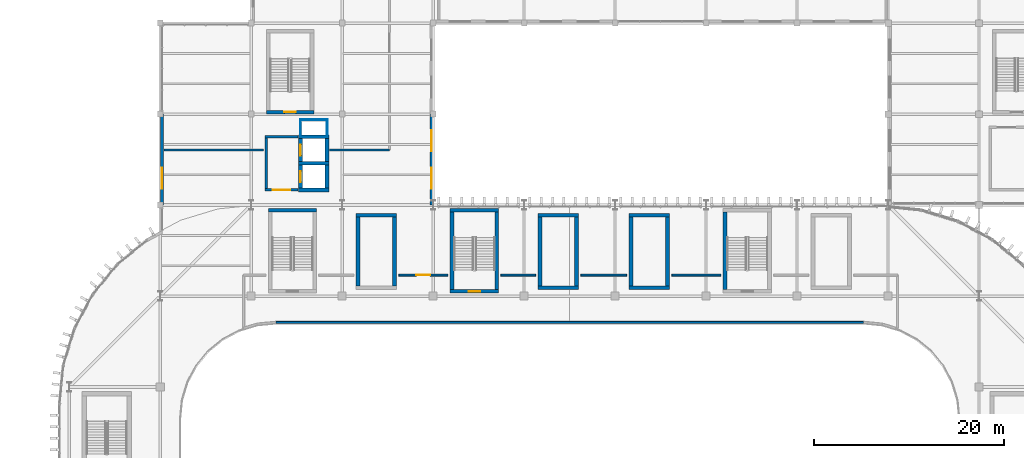
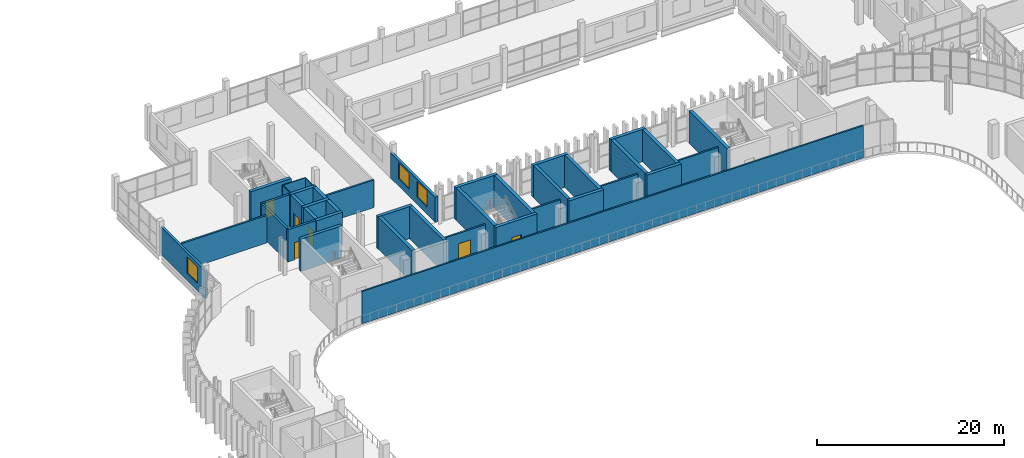
# One storey, part 59 of 92: 40 walls, 6 doors, 3 windows, 9 openings.
"""IFC4 building model written with IfcOpenShell, lengths in metres."""

from ifc_helpers import new_model, si_unit, direction, frame, frame_2d, origin, place, context, subcontext, project, spatial, rectangle, extrude, material, layer, layer_set, type_object, element, fill, save


model = new_model("IFC4")

# Units and contexts
model_context = context("Model", 3, precision=1e-05, world=origin(), true_north=direction((0.0, 1.0)))
body_context = subcontext(model_context, "Body", "Model", "MODEL_VIEW")
ifc_project = project(units=[si_unit("LENGTHUNIT", "METRE"), si_unit("AREAUNIT", "SQUARE_METRE"), si_unit("VOLUMEUNIT", "CUBIC_METRE"), si_unit("PLANEANGLEUNIT", "RADIAN"), si_unit("MASSUNIT", "GRAM", prefix="KILO")], contexts=[model_context])

# Site, building, storey
site_placement = place(None, origin())
site = spatial("IfcSite", under=ifc_project, at=site_placement, CompositionType="ELEMENT")
building_placement = place(site_placement, origin())
building = spatial("IfcBuilding", under=site, at=building_placement, Name="Caelomonte Colonnade Arena", CompositionType="ELEMENT")
storey_placement = place(building_placement, frame((0.0, 0.0, 9.60009765625)))
storey = spatial("IfcBuildingStorey", under=building, at=storey_placement, Name="L02", CompositionType="ELEMENT", Elevation=9.60009765625)

# Wall, opening, window
ifc_material_1 = material(Name="Precast concrete C40/50", Category="concrete")
ifc_layer_1 = layer(ifc_material_1, 0.2900390625)
ifc_layer_set_1 = layer_set([ifc_layer_1], Name="Precast concrete C40/50")
wall_type_1 = type_object("IfcWallType", Name="ENV-WL-EXT29", PredefinedType="SOLIDWALL", material=ifc_layer_set_1)
wall_1_placement = place(storey_placement, frame((67.3798828125, 124.800048828125, 0.0), z_axis=(0.0, 0.0, 1.0), x_axis=(0.0, -1.0, 0.0)))
wall_1 = element("IfcWall", 1, at=wall_1_placement, inside=storey, type_object=wall_type_1, Name="L02 exterior wall EW-L02-0266", PredefinedType="SOLIDWALL", context=body_context, shape_type="SweptSolid", body=[
    extrude(rectangle(XDim=9.60009765625, YDim=0.2900390625, at=frame_2d((4.800048828125, 0.0))), origin(), (0.0, 0.0, 1.0), 3.61279296875),
])
opening_1_placement = place(wall_1_placement, frame((7.86669921875, 0.0, 0.949951171875), z_axis=(0.0, 0.0, 1.0), x_axis=(-1.0, 0.0, 0.0)))
opening_1 = element("IfcOpeningElement", 2, at=opening_1_placement, cuts=wall_1, Name="Opening WN-05", PredefinedType="OPENING", context=body_context, shape_type="SweptSolid", body=[
    extrude(rectangle(XDim=2.199951171875, YDim=2.10009765625, at=frame_2d((1.10009765625, 1.050048828125))), frame((0.0, 0.155029296875, 0.0), z_axis=(0.0, -1.0, 0.0), x_axis=(1.0, 0.0, 0.0)), (0.0, 0.0, 1.0), 0.31005859375),
])
ifc_material_2 = material(Name="Solar-control bronze low-E double glazing", Category="glass")
window_type = type_object("IfcWindowType", Name="ENV-WN-V4B", PartitioningType="DOUBLE_PANEL_VERTICAL", PredefinedType="WINDOW", material=ifc_material_2)
window_1_placement = place(opening_1_placement, origin())
window_1 = element("IfcWindow", 3, at=window_1_placement, inside=storey, type_object=window_type, Name="L02 facade window 194", OverallHeight=2.10009765625, OverallWidth=2.199951171875, PartitioningType="SINGLE_PANEL", PredefinedType="WINDOW", context=body_context, shape_type="SweptSolid", body=[
    extrude(rectangle(XDim=2.199951171875, YDim=2.10009765625, at=frame_2d((1.10009765625, 1.050048828125))), frame((0.0, 0.030029296875, 0.0), z_axis=(0.0, -1.0, 0.0), x_axis=(1.0, 0.0, 0.0)), (0.0, 0.0, 1.0), 0.06005859375),
])
fill(opening_1, window_1)

# Wall, openings, windows
ifc_layer_2 = layer(ifc_material_1, 0.330078125)
ifc_layer_set_2 = layer_set([ifc_layer_2], Name="Precast concrete C40/50")
wall_type_2 = type_object("IfcWallType", Name="ENV-WL-EXT33", PredefinedType="SOLIDWALL", material=ifc_layer_set_2)
wall_2_placement = place(storey_placement, frame((95.820068359375, 115.199951171875, 0.0), z_axis=(0.0, 0.0, 1.0), x_axis=(0.0, 1.0, 0.0)))
wall_2 = element("IfcWall", 4, at=wall_2_placement, inside=storey, type_object=wall_type_2, Name="L02 exterior wall EW-L02-0268", PredefinedType="SOLIDWALL", context=body_context, shape_type="SweptSolid", body=[
    extrude(rectangle(XDim=9.60009765625, YDim=0.330078125, at=frame_2d((4.800048828125, 0.0))), origin(), (0.0, 0.0, 1.0), 3.29296875),
])
opening_2_placement = place(wall_2_placement, frame((3.933349609375, 0.0, 0.949951171875), z_axis=(0.0, 0.0, 1.0), x_axis=(-1.0, 0.0, 0.0)))
opening_2 = element("IfcOpeningElement", 5, at=opening_2_placement, cuts=wall_2, Name="Opening WN-05", PredefinedType="OPENING", context=body_context, shape_type="SweptSolid", body=[
    extrude(rectangle(XDim=2.199951171875, YDim=2.10009765625, at=frame_2d((1.10009765625, 1.050048828125))), frame((0.0, 0.175048828125, 0.0), z_axis=(0.0, -1.0, 0.0), x_axis=(1.0, 0.0, 0.0)), (0.0, 0.0, 1.0), 0.35009765625),
])
opening_3_placement = place(wall_2_placement, frame((7.86669921875, 0.0, 0.949951171875), z_axis=(0.0, 0.0, 1.0), x_axis=(-1.0, 0.0, 0.0)))
opening_3 = element("IfcOpeningElement", 6, at=opening_3_placement, cuts=wall_2, Name="Opening WN-05", PredefinedType="OPENING", context=body_context, shape_type="SweptSolid", body=[
    extrude(rectangle(XDim=2.199951171875, YDim=2.10009765625, at=frame_2d((1.10009765625, 1.050048828125))), frame((0.0, 0.175048828125, 0.0), z_axis=(0.0, -1.0, 0.0), x_axis=(1.0, 0.0, 0.0)), (0.0, 0.0, 1.0), 0.35009765625),
])
window_2_placement = place(opening_2_placement, origin())
window_2 = element("IfcWindow", 7, at=window_2_placement, inside=storey, type_object=window_type, Name="L02 facade window 195", OverallHeight=2.10009765625, OverallWidth=2.199951171875, PartitioningType="SINGLE_PANEL", PredefinedType="WINDOW", context=body_context, shape_type="SweptSolid", body=[
    extrude(rectangle(XDim=2.199951171875, YDim=2.10009765625, at=frame_2d((1.10009765625, 1.050048828125))), frame((0.0, 0.030029296875, 0.0), z_axis=(0.0, -1.0, 0.0), x_axis=(1.0, 0.0, 0.0)), (0.0, 0.0, 1.0), 0.06005859375),
])
fill(opening_2, window_2)
window_3_placement = place(opening_3_placement, origin())
window_3 = element("IfcWindow", 8, at=window_3_placement, inside=storey, type_object=window_type, Name="L02 facade window 196", OverallHeight=2.10009765625, OverallWidth=2.199951171875, PartitioningType="SINGLE_PANEL", PredefinedType="WINDOW", context=body_context, shape_type="SweptSolid", body=[
    extrude(rectangle(XDim=2.199951171875, YDim=2.10009765625, at=frame_2d((1.10009765625, 1.050048828125))), frame((0.0, 0.030029296875, 0.0), z_axis=(0.0, -1.0, 0.0), x_axis=(1.0, 0.0, 0.0)), (0.0, 0.0, 1.0), 0.06005859375),
])
fill(opening_3, window_3)

# Wall, opening, door
ifc_material_3 = material(Name="Concrete C40/50", Category="concrete")
ifc_layer_3 = layer(ifc_material_3, 0.260009765625)
ifc_layer_set_3 = layer_set([ifc_layer_3], Name="Concrete C40/50")
wall_type_3 = type_object("IfcWallType", Name="INT-WL-FW26", PredefinedType="SOLIDWALL", material=ifc_layer_set_3)
wall_3_placement = place(storey_placement, frame((78.27001953125, 116.800048828125, 0.0), z_axis=(0.0, 0.0, 1.0), x_axis=(1.0, 0.0, 0.0)))
wall_3 = element("IfcWall", 9, at=wall_3_placement, inside=storey, type_object=wall_type_3, Name="FW-C7-LB L02 south enclosure wall", PredefinedType="SOLIDWALL", context=body_context, shape_type="SweptSolid", body=[
    extrude(rectangle(XDim=3.4599609375, YDim=0.260009765625, at=frame_2d((1.72998046875, 0.0))), origin(), (0.0, 0.0, 1.0), 4.219970703125),
])
opening_4_placement = place(wall_3_placement, frame((2.655029296875, 0.0, 0.0), z_axis=(0.0, 0.0, 1.0), x_axis=(-1.0, 0.0, 0.0)))
opening_4 = element("IfcOpeningElement", 10, at=opening_4_placement, cuts=wall_3, Name="Opening FD-2", PredefinedType="OPENING", context=body_context, shape_type="SweptSolid", body=[
    extrude(rectangle(XDim=1.85009765625, YDim=2.25, at=frame_2d((0.925048828125, 1.125))), frame((0.0, 0.139892578125, 0.0), z_axis=(0.0, -1.0, 0.0), x_axis=(1.0, 0.0, 0.0)), (0.0, 0.0, 1.0), 0.280029296875),
])
ifc_material_4 = material(Name="Fire-rated double steel door", Category="steel")
door_type_1 = type_object("IfcDoorType", Name="INT-DR-FD90B", OperationType="DOUBLE_DOOR_SINGLE_SWING", PredefinedType="DOOR", material=ifc_material_4)
door_1_placement = place(opening_4_placement, origin())
door_1 = element("IfcDoor", 11, at=door_1_placement, inside=storey, type_object=door_type_1, Name="Core C7 L02 lobby fire door", OperationType="DOUBLE_DOOR_SINGLE_SWING", OverallHeight=2.25, OverallWidth=1.85009765625, PredefinedType="DOOR", context=body_context, shape_type="SweptSolid", body=[
    extrude(rectangle(XDim=1.85009765625, YDim=2.25, at=frame_2d((0.925048828125, 1.125))), frame((0.0, 0.02490234375, 0.0), z_axis=(0.0, -1.0, 0.0), x_axis=(1.0, 0.0, 0.0)), (0.0, 0.0, 1.0), 0.050048828125),
])
fill(opening_4, door_1)

# Walls
wall_4_placement = place(storey_placement, frame((81.72998046875, 122.39990234375, 0.0), z_axis=(0.0, 0.0, 1.0), x_axis=(-1.0, 0.0, 0.0)))
element("IfcWall", 12, at=wall_4_placement, inside=storey, type_object=wall_type_3, Name="FW-C7-LB L02 north enclosure wall", PredefinedType="SOLIDWALL", context=body_context, shape_type="SweptSolid", body=[
    extrude(rectangle(XDim=3.4599609375, YDim=0.260009765625, at=frame_2d((1.72998046875, 0.0))), origin(), (0.0, 0.0, 1.0), 4.219970703125),
])
wall_5_placement = place(storey_placement, frame((78.39990234375, 122.27001953125, 0.0), z_axis=(0.0, 0.0, 1.0), x_axis=(0.0, -1.0, 0.0)))
element("IfcWall", 13, at=wall_5_placement, inside=storey, type_object=wall_type_3, Name="FW-C7-LB L02 west enclosure wall", PredefinedType="SOLIDWALL", context=body_context, shape_type="SweptSolid", body=[
    extrude(rectangle(XDim=5.340087890625, YDim=0.260009765625, at=frame_2d((2.669921875, 0.0))), origin(), (0.0, 0.0, 1.0), 4.219970703125),
])
ifc_material_5 = material(Name="Service shaft lining partition")
ifc_layer_4 = layer(ifc_material_5, 0.10009765625)
ifc_layer_set_4 = layer_set([ifc_layer_4], Name="Service shaft lining partition")
wall_type_4 = type_object("IfcWallType", Name="INT-WL-PT10", PredefinedType="PARTITIONING", material=ifc_layer_set_4)
wall_6_placement = place(storey_placement, frame((84.85009765625, 124.199951171875, 0.0), z_axis=(0.0, 0.0, 1.0), x_axis=(-1.0, 0.0, 0.0)))
element("IfcWall", 14, at=wall_6_placement, inside=storey, type_object=wall_type_4, Name="FW-C7-RS L02 north enclosure wall", PredefinedType="PARTITIONING", context=body_context, shape_type="SweptSolid", body=[
    extrude(rectangle(XDim=2.900146484375, YDim=0.10009765625, at=frame_2d((1.4501953125, 0.0))), origin(), (0.0, 0.0, 1.0), 4.219970703125),
])
for number, where, z_axis, x_axis, name in (
    (15, (82.0, 124.14990234375, 0.0), (0.0, 0.0, 1.0), (0.0, -1.0, 0.0), "FW-C7-RS L02 west enclosure wall"),
    (16, (84.800048828125, 122.449951171875, 0.0), (0.0, 0.0, 1.0), (0.0, 1.0, 0.0), "FW-C7-RS L02 east enclosure wall"),
):
    element("IfcWall", number, at=place(storey_placement, frame(where, z_axis=z_axis, x_axis=x_axis)), inside=storey, type_object=wall_type_4, Name=name, PredefinedType="PARTITIONING", context=body_context, shape_type="SweptSolid", body=[
        extrude(rectangle(XDim=1.699951171875, YDim=0.10009765625, at=frame_2d((0.85009765625, 0.0))), origin(), (0.0, 0.0, 1.0), 4.219970703125),
    ])

# Wall, opening, door
ifc_material_6 = material(Name="Fire-rated gypsum stud partition")
ifc_layer_5 = layer(ifc_material_6, 0.199951171875)
ifc_layer_set_5 = layer_set([ifc_layer_5], Name="Fire-rated gypsum stud partition")
wall_type_5 = type_object("IfcWallType", Name="INT-WL-PT20", PredefinedType="PARTITIONING", material=ifc_layer_set_5)
wall_7_placement = place(storey_placement, frame((92.3798828125, 107.800048828125, 0.0), z_axis=(0.0, 0.0, 1.0), x_axis=(1.0, 0.0, 0.0)))
wall_7 = element("IfcWall", 17, at=wall_7_placement, inside=storey, type_object=wall_type_5, Name="L02 Club Lounge North partition 163", PredefinedType="PARTITIONING", context=body_context, shape_type="SweptSolid", body=[
    extrude(rectangle(XDim=5.170166015625, YDim=0.199951171875, at=frame_2d((2.5849609375, 0.0))), origin(), (0.0, 0.0, 1.0), 3.61279296875),
])
opening_5_placement = place(wall_7_placement, frame((1.8349609375, 0.0, 0.0), z_axis=(0.0, 0.0, 1.0), x_axis=(1.0, 0.0, 0.0)))
opening_5 = element("IfcOpeningElement", 18, at=opening_5_placement, cuts=wall_7, Name="Opening D-L02-050", PredefinedType="OPENING", context=body_context, shape_type="SweptSolid", body=[
    extrude(rectangle(XDim=1.5, YDim=2.25, at=frame_2d((0.75, 1.125))), frame((0.0, 0.10986328125, 0.0), z_axis=(0.0, -1.0, 0.0), x_axis=(1.0, 0.0, 0.0)), (0.0, 0.0, 1.0), 0.219970703125),
])
ifc_material_7 = material(Name="Hardwood double club lounge door", Category="wood")
door_type_2 = type_object("IfcDoorType", Name="INT-DR-SU2", OperationType="DOUBLE_DOOR_SINGLE_SWING", PredefinedType="DOOR", material=ifc_material_7)
door_2_placement = place(opening_5_placement, origin())
door_2 = element("IfcDoor", 19, at=door_2_placement, inside=storey, type_object=door_type_2, Name="L02 Club Lounge North door D-L02-050", OperationType="DOUBLE_DOOR_SINGLE_SWING", OverallHeight=2.25, OverallWidth=1.5, PredefinedType="DOOR", context=body_context, shape_type="SweptSolid", body=[
    extrude(rectangle(XDim=1.5, YDim=2.25, at=frame_2d((0.75, 1.125))), frame((0.0, 0.02490234375, 0.0), z_axis=(0.0, -1.0, 0.0), x_axis=(1.0, 0.0, 0.0)), (0.0, 0.0, 1.0), 0.050048828125),
])
fill(opening_5, door_2)

# Walls
wall_8_placement = place(storey_placement, frame((103.14990234375, 107.800048828125, 0.0), z_axis=(0.0, 0.0, 1.0), x_axis=(1.0, 0.0, 0.0)))
element("IfcWall", 20, at=wall_8_placement, inside=storey, type_object=wall_type_5, Name="L02 Club Lounge North partition 164", PredefinedType="PARTITIONING", context=body_context, shape_type="SweptSolid", body=[
    extrude(rectangle(XDim=3.670166015625, YDim=0.199951171875, at=frame_2d((1.8349609375, 0.0))), origin(), (0.0, 0.0, 1.0), 3.61279296875),
])
wall_9_placement = place(storey_placement, frame((111.580078125, 107.800048828125, 0.0), z_axis=(0.0, 0.0, 1.0), x_axis=(1.0, 0.0, 0.0)))
element("IfcWall", 21, at=wall_9_placement, inside=storey, type_object=wall_type_5, Name="L02 Club Lounge North partition 165", PredefinedType="PARTITIONING", context=body_context, shape_type="SweptSolid", body=[
    extrude(rectangle(XDim=4.83984375, YDim=0.199951171875, at=frame_2d((2.419921875, 0.0))), origin(), (0.0, 0.0, 1.0), 3.61279296875),
])
wall_10_placement = place(storey_placement, frame((121.179931640625, 107.800048828125, 0.0), z_axis=(0.0, 0.0, 1.0), x_axis=(1.0, 0.0, 0.0)))
element("IfcWall", 22, at=wall_10_placement, inside=storey, type_object=wall_type_5, Name="L02 Club Lounge North partition 166", PredefinedType="PARTITIONING", context=body_context, shape_type="SweptSolid", body=[
    extrude(rectangle(XDim=5.170166015625, YDim=0.199951171875, at=frame_2d((2.5849609375, 0.0))), origin(), (0.0, 0.0, 1.0), 3.61279296875),
])
wall_11_placement = place(storey_placement, frame((141.39990234375, 102.820068359375, 0.0), z_axis=(0.0, 0.0, 1.0), x_axis=(-1.0, 0.0, 0.0)))
element("IfcWall", 23, at=wall_11_placement, inside=storey, type_object=wall_type_5, Name="L02 Club Lounge North partition 172", PredefinedType="PARTITIONING", context=body_context, shape_type="SweptSolid", body=[
    extrude(rectangle(XDim=62.0, YDim=0.199951171875, at=frame_2d((31.0, 0.0))), origin(), (0.0, 0.0, 1.0), 4.219970703125),
])
ifc_material_8 = material(Name="Acoustic masonry blockwork", Category="masonry")
ifc_layer_6 = layer(ifc_material_8, 0.219970703125)
ifc_layer_set_6 = layer_set([ifc_layer_6], Name="Acoustic masonry blockwork")
wall_type_6 = type_object("IfcWallType", Name="INT-WL-PT22", PredefinedType="PARTITIONING", material=ifc_layer_set_6)
wall_12_placement = place(storey_placement, frame((91.39990234375, 121.0, 0.0), z_axis=(0.0, 0.0, 1.0), x_axis=(-1.0, 0.0, 0.0)))
element("IfcWall", 24, at=wall_12_placement, inside=storey, type_object=wall_type_6, Name="L02 Club Catering Kitchen partition 185", PredefinedType="PARTITIONING", context=body_context, shape_type="SweptSolid", body=[
    extrude(rectangle(XDim=6.31982421875, YDim=0.219970703125, at=frame_2d((3.159912109375, 0.0))), origin(), (0.0, 0.0, 1.0), 3.61279296875),
])
wall_13_placement = place(storey_placement, frame((78.1201171875, 121.0, 0.0), z_axis=(0.0, 0.0, 1.0), x_axis=(-1.0, 0.0, 0.0)))
element("IfcWall", 25, at=wall_13_placement, inside=storey, type_object=wall_type_6, Name="L02 Club Catering Kitchen partition 186", PredefinedType="PARTITIONING", context=body_context, shape_type="SweptSolid", body=[
    extrude(rectangle(XDim=10.52001953125, YDim=0.219970703125, at=frame_2d((5.260009765625, 0.0))), origin(), (0.0, 0.0, 1.0), 3.61279296875),
])

# Wall, opening, door
ifc_material_9 = material(Name="Concrete C50/60", Category="concrete")
ifc_layer_7 = layer(ifc_material_9, 0.39990234375)
ifc_layer_set_7 = layer_set([ifc_layer_7], Name="Concrete C50/60")
wall_type_7 = type_object("IfcWallType", Name="INT-WL-SH40", PredefinedType="SHEAR", material=ifc_layer_set_7)
wall_14_placement = place(storey_placement, frame((78.39990234375, 125.0, 0.0), z_axis=(0.0, 0.0, 1.0), x_axis=(1.0, 0.0, 0.0)))
wall_14 = element("IfcWall", 26, at=wall_14_placement, inside=storey, type_object=wall_type_7, Name="CW-C7-ST L02 south enclosure wall", PredefinedType="SHEAR", context=body_context, shape_type="SweptSolid", body=[
    extrude(rectangle(XDim=5.0, YDim=0.39990234375, at=frame_2d((2.5, 0.0))), origin(), (0.0, 0.0, 1.0), 4.219970703125),
])
opening_6_placement = place(wall_14_placement, frame((3.099853515625, 0.0, 0.0), z_axis=(0.0, 0.0, 1.0), x_axis=(-1.0, 0.0, 0.0)))
opening_6 = element("IfcOpeningElement", 27, at=opening_6_placement, cuts=wall_14, Name="Opening FD-1", PredefinedType="OPENING", context=body_context, shape_type="SweptSolid", body=[
    extrude(rectangle(XDim=1.199951171875, YDim=2.199951171875, at=frame_2d((0.60009765625, 1.10009765625))), frame((0.0, 0.2099609375, 0.0), z_axis=(0.0, -1.0, 0.0), x_axis=(1.0, 0.0, 0.0)), (0.0, 0.0, 1.0), 0.419921875),
])
ifc_material_10 = material(Name="Fire-rated steel door", Category="steel")
door_type_3 = type_object("IfcDoorType", Name="INT-DR-FD90A", OperationType="NOTDEFINED", PredefinedType="DOOR", material=ifc_material_10)
door_3_placement = place(opening_6_placement, origin())
door_3 = element("IfcDoor", 28, at=door_3_placement, inside=storey, type_object=door_type_3, Name="Core C7 L02 exit stair fire door", OperationType="SINGLE_SWING_RIGHT", OverallHeight=2.199951171875, OverallWidth=1.199951171875, PredefinedType="DOOR", context=body_context, shape_type="SweptSolid", body=[
    extrude(rectangle(XDim=1.199951171875, YDim=2.199951171875, at=frame_2d((0.60009765625, 1.10009765625))), frame((0.0, 0.02490234375, 0.0), z_axis=(0.0, -1.0, 0.0), x_axis=(1.0, 0.0, 0.0)), (0.0, 0.0, 1.0), 0.050048828125),
])
fill(opening_6, door_3)

# Walls
for number, where, z_axis, x_axis, name in (
    (29, (81.800048828125, 116.800048828125, 0.0), (0.0, 0.0, 1.0), (1.0, 0.0, 0.0), "CW-C7-LF L02 south enclosure wall"),
    (30, (85.0, 119.60009765625, 0.0), (0.0, 0.0, 1.0), (-1.0, 0.0, 0.0), "CW-C7-LF L02 north enclosure wall"),
):
    element("IfcWall", number, at=place(storey_placement, frame(where, z_axis=z_axis, x_axis=x_axis)), inside=storey, type_object=wall_type_7, Name=name, PredefinedType="SHEAR", context=body_context, shape_type="SweptSolid", body=[
        extrude(rectangle(XDim=3.199951171875, YDim=0.39990234375, at=frame_2d((1.60009765625, 0.0))), origin(), (0.0, 0.0, 1.0), 4.219970703125),
    ])

# Wall, opening, door
wall_15_placement = place(storey_placement, frame((82.0, 119.39990234375, 0.0), z_axis=(0.0, 0.0, 1.0), x_axis=(0.0, -1.0, 0.0)))
wall_15 = element("IfcWall", 31, at=wall_15_placement, inside=storey, type_object=wall_type_7, Name="CW-C7-LF L02 west enclosure wall", PredefinedType="SHEAR", context=body_context, shape_type="SweptSolid", body=[
    extrude(rectangle(XDim=2.39990234375, YDim=0.39990234375, at=frame_2d((1.199951171875, 0.0))), origin(), (0.0, 0.0, 1.0), 4.219970703125),
])
opening_7_placement = place(wall_15_placement, frame((0.625, 0.0, 0.0), z_axis=(0.0, 0.0, 1.0), x_axis=(1.0, 0.0, 0.0)))
opening_7 = element("IfcOpeningElement", 32, at=opening_7_placement, cuts=wall_15, Name="Opening LD-LF-05-L02", PredefinedType="OPENING", context=body_context, shape_type="SweptSolid", body=[
    extrude(rectangle(XDim=1.14990234375, YDim=2.199951171875, at=frame_2d((0.574951171875, 1.10009765625))), frame((0.0, 0.2099609375, 0.0), z_axis=(0.0, -1.0, 0.0), x_axis=(1.0, 0.0, 0.0)), (0.0, 0.0, 1.0), 0.419921875),
])
ifc_material_11 = material(Name="Stainless steel lift landing door", Category="steel")
door_type_4 = type_object("IfcDoorType", Name="INT-DR-LD1", OperationType="SLIDING_TO_LEFT", PredefinedType="DOOR", material=ifc_material_11)
door_4_placement = place(opening_7_placement, origin())
door_4 = element("IfcDoor", 33, at=door_4_placement, inside=storey, type_object=door_type_4, Name="Lift LF-05 L02 sliding landing door", OperationType="SLIDING_TO_LEFT", OverallHeight=2.199951171875, OverallWidth=1.14990234375, PredefinedType="DOOR", context=body_context, shape_type="SweptSolid", body=[
    extrude(rectangle(XDim=1.14990234375, YDim=2.199951171875, at=frame_2d((0.574951171875, 1.10009765625))), frame((0.0, 0.02490234375, 0.0), z_axis=(0.0, -1.0, 0.0), x_axis=(1.0, 0.0, 0.0)), (0.0, 0.0, 1.0), 0.050048828125),
])
fill(opening_7, door_4)

# Walls
wall_16_placement = place(storey_placement, frame((84.800048828125, 117.0, 0.0), z_axis=(0.0, 0.0, 1.0), x_axis=(0.0, 1.0, 0.0)))
element("IfcWall", 34, at=wall_16_placement, inside=storey, type_object=wall_type_7, Name="CW-C7-LF L02 east enclosure wall", PredefinedType="SHEAR", context=body_context, shape_type="SweptSolid", body=[
    extrude(rectangle(XDim=2.39990234375, YDim=0.39990234375, at=frame_2d((1.199951171875, 0.0))), origin(), (0.0, 0.0, 1.0), 4.219970703125),
])
wall_17_placement = place(storey_placement, frame((85.0, 122.39990234375, 0.0), z_axis=(0.0, 0.0, 1.0), x_axis=(-1.0, 0.0, 0.0)))
element("IfcWall", 35, at=wall_17_placement, inside=storey, type_object=wall_type_7, Name="CW-C7-LF2 L02 north enclosure wall", PredefinedType="SHEAR", context=body_context, shape_type="SweptSolid", body=[
    extrude(rectangle(XDim=3.199951171875, YDim=0.39990234375, at=frame_2d((1.60009765625, 0.0))), origin(), (0.0, 0.0, 1.0), 4.219970703125),
])

# Wall, opening, door
wall_18_placement = place(storey_placement, frame((82.0, 122.199951171875, 0.0), z_axis=(0.0, 0.0, 1.0), x_axis=(0.0, -1.0, 0.0)))
wall_18 = element("IfcWall", 36, at=wall_18_placement, inside=storey, type_object=wall_type_7, Name="CW-C7-LF2 L02 west enclosure wall", PredefinedType="SHEAR", context=body_context, shape_type="SweptSolid", body=[
    extrude(rectangle(XDim=2.39990234375, YDim=0.39990234375, at=frame_2d((1.199951171875, 0.0))), origin(), (0.0, 0.0, 1.0), 4.219970703125),
])
opening_8_placement = place(wall_18_placement, frame((0.625, 0.0, 0.0), z_axis=(0.0, 0.0, 1.0), x_axis=(1.0, 0.0, 0.0)))
opening_8 = element("IfcOpeningElement", 37, at=opening_8_placement, cuts=wall_18, Name="Opening LD-LF-06-L02", PredefinedType="OPENING", context=body_context, shape_type="SweptSolid", body=[
    extrude(rectangle(XDim=1.14990234375, YDim=2.199951171875, at=frame_2d((0.574951171875, 1.10009765625))), frame((0.0, 0.2099609375, 0.0), z_axis=(0.0, -1.0, 0.0), x_axis=(1.0, 0.0, 0.0)), (0.0, 0.0, 1.0), 0.419921875),
])
door_5_placement = place(opening_8_placement, origin())
door_5 = element("IfcDoor", 38, at=door_5_placement, inside=storey, type_object=door_type_4, Name="Lift LF-06 L02 sliding landing door", OperationType="SLIDING_TO_LEFT", OverallHeight=2.199951171875, OverallWidth=1.14990234375, PredefinedType="DOOR", context=body_context, shape_type="SweptSolid", body=[
    extrude(rectangle(XDim=1.14990234375, YDim=2.199951171875, at=frame_2d((0.574951171875, 1.10009765625))), frame((0.0, 0.02490234375, 0.0), z_axis=(0.0, -1.0, 0.0), x_axis=(1.0, 0.0, 0.0)), (0.0, 0.0, 1.0), 0.050048828125),
])
fill(opening_8, door_5)

# Walls
wall_19_placement = place(storey_placement, frame((84.800048828125, 119.800048828125, 0.0), z_axis=(0.0, 0.0, 1.0), x_axis=(0.0, 1.0, 0.0)))
element("IfcWall", 39, at=wall_19_placement, inside=storey, type_object=wall_type_7, Name="CW-C7-LF2 L02 east enclosure wall", PredefinedType="SHEAR", context=body_context, shape_type="SweptSolid", body=[
    extrude(rectangle(XDim=2.39990234375, YDim=0.39990234375, at=frame_2d((1.199951171875, 0.0))), origin(), (0.0, 0.0, 1.0), 4.219970703125),
])
wall_20_placement = place(storey_placement, frame((83.699951171875, 114.64990234375, 0.0), z_axis=(0.0, 0.0, 1.0), x_axis=(-1.0, 0.0, 0.0)))
element("IfcWall", 40, at=wall_20_placement, inside=storey, type_object=wall_type_7, Name="CW-ST-14 L02 north enclosure wall", PredefinedType="SHEAR", context=body_context, shape_type="SweptSolid", body=[
    extrude(rectangle(XDim=5.099853515625, YDim=0.39990234375, at=frame_2d((2.5498046875, 0.0))), origin(), (0.0, 0.0, 1.0), 4.219970703125),
])

# Wall, opening, door
wall_21_placement = place(storey_placement, frame((97.800048828125, 106.10009765625, 0.0), z_axis=(0.0, 0.0, 1.0), x_axis=(1.0, 0.0, 0.0)))
wall_21 = element("IfcWall", 41, at=wall_21_placement, inside=storey, type_object=wall_type_7, Name="CW-ST-15 L02 south enclosure wall", PredefinedType="SHEAR", context=body_context, shape_type="SweptSolid", body=[
    extrude(rectangle(XDim=5.099853515625, YDim=0.39990234375, at=frame_2d((2.5498046875, 0.0))), origin(), (0.0, 0.0, 1.0), 4.219970703125),
])
opening_9_placement = place(wall_21_placement, frame((3.14990234375, 0.0, 0.0), z_axis=(0.0, 0.0, 1.0), x_axis=(-1.0, 0.0, 0.0)))
opening_9 = element("IfcOpeningElement", 42, at=opening_9_placement, cuts=wall_21, Name="Opening FD-1", PredefinedType="OPENING", context=body_context, shape_type="SweptSolid", body=[
    extrude(rectangle(XDim=1.199951171875, YDim=2.199951171875, at=frame_2d((0.60009765625, 1.10009765625))), frame((0.0, 0.2099609375, 0.0), z_axis=(0.0, -1.0, 0.0), x_axis=(1.0, 0.0, 0.0)), (0.0, 0.0, 1.0), 0.419921875),
])
door_6_placement = place(opening_9_placement, origin())
door_6 = element("IfcDoor", 43, at=door_6_placement, inside=storey, type_object=door_type_3, Name="Protected exit stair ST-15 L02 fire door", OperationType="SINGLE_SWING_LEFT", OverallHeight=2.199951171875, OverallWidth=1.199951171875, PredefinedType="DOOR", context=body_context, shape_type="SweptSolid", body=[
    extrude(rectangle(XDim=1.199951171875, YDim=2.199951171875, at=frame_2d((0.60009765625, 1.10009765625))), frame((0.0, 0.02490234375, 0.0), z_axis=(0.0, -1.0, 0.0), x_axis=(1.0, 0.0, 0.0)), (0.0, 0.0, 1.0), 0.050048828125),
])
fill(opening_9, door_6)

# Walls
wall_22_placement = place(storey_placement, frame((102.89990234375, 114.64990234375, 0.0), z_axis=(0.0, 0.0, 1.0), x_axis=(-1.0, 0.0, 0.0)))
element("IfcWall", 44, at=wall_22_placement, inside=storey, type_object=wall_type_7, Name="CW-ST-15 L02 north enclosure wall", PredefinedType="SHEAR", context=body_context, shape_type="SweptSolid", body=[
    extrude(rectangle(XDim=5.099853515625, YDim=0.39990234375, at=frame_2d((2.5498046875, 0.0))), origin(), (0.0, 0.0, 1.0), 4.219970703125),
])
for number, where, z_axis, x_axis, name in (
    (45, (98.0, 114.449951171875, 0.0), (0.0, 0.0, 1.0), (0.0, -1.0, 0.0), "CW-ST-15 L02 west enclosure wall"),
    (46, (102.699951171875, 106.300048828125, 0.0), (0.0, 0.0, 1.0), (0.0, 1.0, 0.0), "CW-ST-15 L02 east enclosure wall"),
    (47, (126.800048828125, 114.449951171875, 0.0), (0.0, 0.0, 1.0), (0.0, -1.0, 0.0), "CW-ST-16 L02 west enclosure wall"),
):
    element("IfcWall", number, at=place(storey_placement, frame(where, z_axis=z_axis, x_axis=x_axis)), inside=storey, type_object=wall_type_7, Name=name, PredefinedType="SHEAR", context=body_context, shape_type="SweptSolid", body=[
        extrude(rectangle(XDim=8.14990234375, YDim=0.39990234375, at=frame_2d((4.074951171875, 0.0))), origin(), (0.0, 0.0, 1.0), 4.219970703125),
    ])
wall_23_placement = place(storey_placement, frame((92.1298828125, 114.1298828125, 0.0), z_axis=(0.0, 0.0, 1.0), x_axis=(-1.0, 0.0, 0.0)))
element("IfcWall", 48, at=wall_23_placement, inside=storey, type_object=wall_type_7, Name="CW-ST-V13 L02 north enclosure wall", PredefinedType="SHEAR", context=body_context, shape_type="SweptSolid", body=[
    extrude(rectangle(XDim=4.259765625, YDim=0.39990234375, at=frame_2d((2.1298828125, 0.0))), origin(), (0.0, 0.0, 1.0), 4.219970703125),
])
for number, where, z_axis, x_axis, name in (
    (49, (88.070068359375, 113.929931640625, 0.0), (0.0, 0.0, 1.0), (0.0, -1.0, 0.0), "CW-ST-V13 L02 west enclosure wall"),
    (50, (91.929931640625, 106.669921875, 0.0), (0.0, 0.0, 1.0), (0.0, 1.0, 0.0), "CW-ST-V13 L02 east enclosure wall"),
):
    element("IfcWall", number, at=place(storey_placement, frame(where, z_axis=z_axis, x_axis=x_axis)), inside=storey, type_object=wall_type_7, Name=name, PredefinedType="SHEAR", context=body_context, shape_type="SweptSolid", body=[
        extrude(rectangle(XDim=7.260009765625, YDim=0.39990234375, at=frame_2d((3.6298828125, 0.0))), origin(), (0.0, 0.0, 1.0), 4.219970703125),
    ])
for number, where, z_axis, x_axis, name in (
    (51, (107.070068359375, 106.469970703125, 0.0), (0.0, 0.0, 1.0), (1.0, 0.0, 0.0), "CW-ST-V14 L02 south enclosure wall"),
    (52, (111.330078125, 114.1298828125, 0.0), (0.0, 0.0, 1.0), (-1.0, 0.0, 0.0), "CW-ST-V14 L02 north enclosure wall"),
):
    element("IfcWall", number, at=place(storey_placement, frame(where, z_axis=z_axis, x_axis=x_axis)), inside=storey, type_object=wall_type_7, Name=name, PredefinedType="SHEAR", context=body_context, shape_type="SweptSolid", body=[
        extrude(rectangle(XDim=4.260009765625, YDim=0.39990234375, at=frame_2d((2.1298828125, 0.0))), origin(), (0.0, 0.0, 1.0), 4.219970703125),
    ])
for number, where, z_axis, x_axis, name in (
    (53, (107.27001953125, 113.929931640625, 0.0), (0.0, 0.0, 1.0), (0.0, -1.0, 0.0), "CW-ST-V14 L02 west enclosure wall"),
    (54, (111.1298828125, 106.669921875, 0.0), (0.0, 0.0, 1.0), (0.0, 1.0, 0.0), "CW-ST-V14 L02 east enclosure wall"),
):
    element("IfcWall", number, at=place(storey_placement, frame(where, z_axis=z_axis, x_axis=x_axis)), inside=storey, type_object=wall_type_7, Name=name, PredefinedType="SHEAR", context=body_context, shape_type="SweptSolid", body=[
        extrude(rectangle(XDim=7.260009765625, YDim=0.39990234375, at=frame_2d((3.6298828125, 0.0))), origin(), (0.0, 0.0, 1.0), 4.219970703125),
    ])
for number, where, z_axis, x_axis, name in (
    (55, (116.669921875, 106.469970703125, 0.0), (0.0, 0.0, 1.0), (1.0, 0.0, 0.0), "CW-ST-V15 L02 south enclosure wall"),
    (56, (120.929931640625, 114.1298828125, 0.0), (0.0, 0.0, 1.0), (-1.0, 0.0, 0.0), "CW-ST-V15 L02 north enclosure wall"),
):
    element("IfcWall", number, at=place(storey_placement, frame(where, z_axis=z_axis, x_axis=x_axis)), inside=storey, type_object=wall_type_7, Name=name, PredefinedType="SHEAR", context=body_context, shape_type="SweptSolid", body=[
        extrude(rectangle(XDim=4.260009765625, YDim=0.39990234375, at=frame_2d((2.1298828125, 0.0))), origin(), (0.0, 0.0, 1.0), 4.219970703125),
    ])
for number, where, z_axis, x_axis, name in (
    (57, (116.8701171875, 113.929931640625, 0.0), (0.0, 0.0, 1.0), (0.0, -1.0, 0.0), "CW-ST-V15 L02 west enclosure wall"),
    (58, (120.72998046875, 106.669921875, 0.0), (0.0, 0.0, 1.0), (0.0, 1.0, 0.0), "CW-ST-V15 L02 east enclosure wall"),
):
    element("IfcWall", number, at=place(storey_placement, frame(where, z_axis=z_axis, x_axis=x_axis)), inside=storey, type_object=wall_type_7, Name=name, PredefinedType="SHEAR", context=body_context, shape_type="SweptSolid", body=[
        extrude(rectangle(XDim=7.260009765625, YDim=0.39990234375, at=frame_2d((3.6298828125, 0.0))), origin(), (0.0, 0.0, 1.0), 4.219970703125),
    ])

save(model, "model.ifc")
